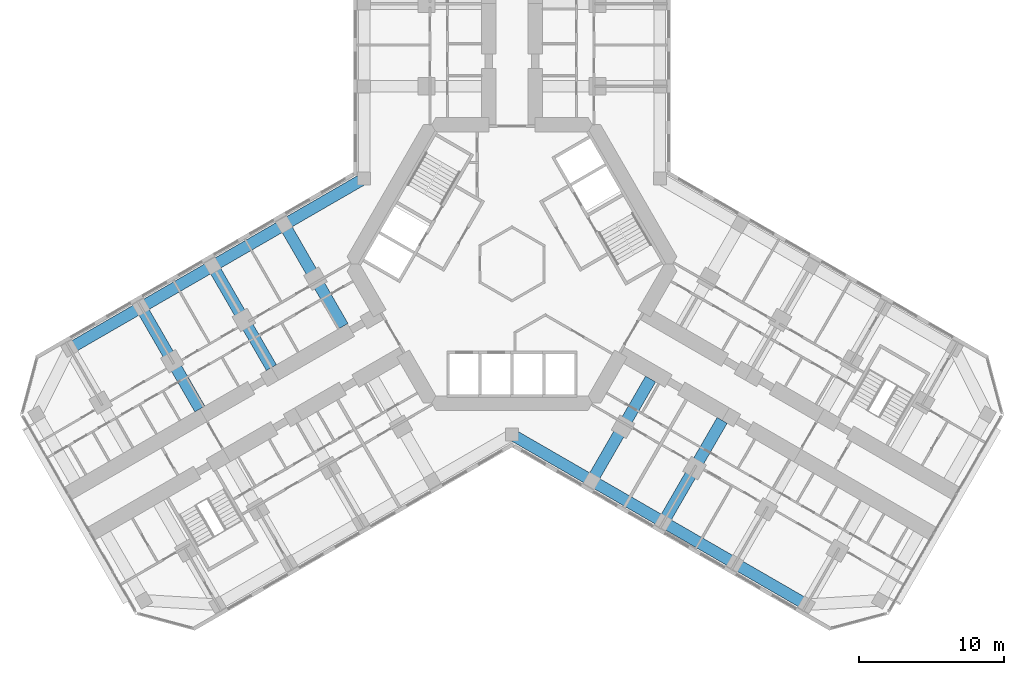
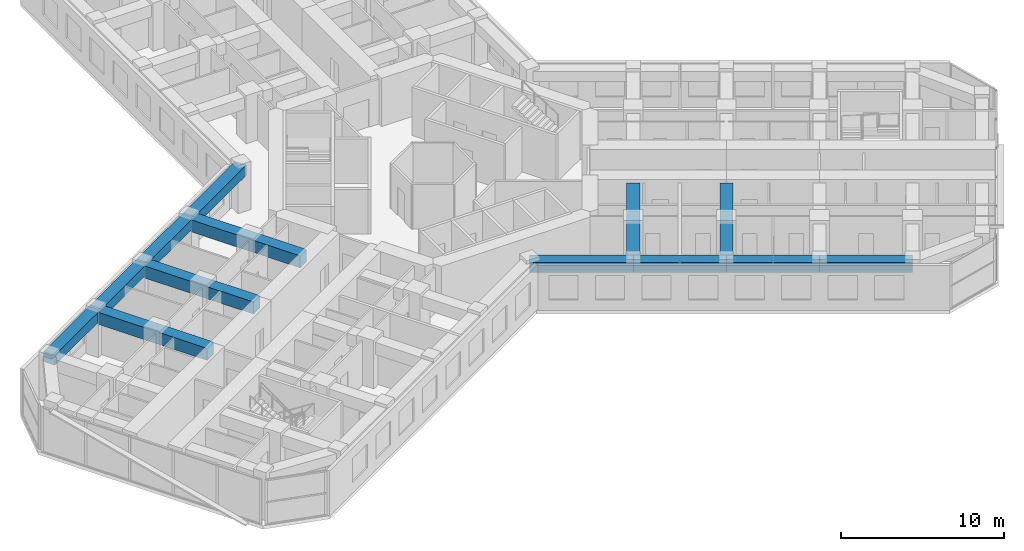
# One storey, part 4 of 21: 13 beams.
"""IFC4 building model written with IfcOpenShell, lengths in metres."""

from ifc_helpers import new_model, si_unit, direction, frame, origin, origin_2d, place, context, subcontext, project, spatial, rectangle, extrude, material, material_profile, profile_set, type_object, element, save


model = new_model("IFC4")

# Units and contexts
model_context = context("Model", 3, precision=1e-05, world=origin(), true_north=direction((0.0, 1.0)))
body_context = subcontext(model_context, "Body", "Model", "MODEL_VIEW")
ifc_project = project(units=[si_unit("LENGTHUNIT", "METRE"), si_unit("AREAUNIT", "SQUARE_METRE"), si_unit("VOLUMEUNIT", "CUBIC_METRE"), si_unit("PLANEANGLEUNIT", "RADIAN"), si_unit("MASSUNIT", "GRAM", prefix="KILO")], contexts=[model_context])

# Site, building, storey
site_placement = place(None, origin())
site = spatial("IfcSite", under=ifc_project, at=site_placement, CompositionType="ELEMENT")
building_placement = place(site_placement, origin())
building = spatial("IfcBuilding", under=site, at=building_placement, Name="Kosmar Iwan School Tower", CompositionType="ELEMENT")
storey_placement = place(building_placement, frame((0.0, 0.0, 88.0)))
storey = spatial("IfcBuildingStorey", under=building, at=storey_placement, Name="L21", CompositionType="ELEMENT", Elevation=88.0)

# Beams
ifc_material_1 = material(Name="Concrete C50/60", Category="concrete")
ifc_material_profile_1 = material_profile(ifc_material_1, rectangle(XDim=0.800048828125, YDim=0.75, at=origin_2d()), Name="RC 800x750")
ifc_profile_set_1 = profile_set([ifc_material_profile_1], Name="Concrete C50/60")
beam_type_1 = type_object("IfcBeamType", Name="RC edge beam 800x750", PredefinedType="BEAM", material=ifc_profile_set_1)
beam_1_placement = place(storey_placement, frame((-10.199951171875, 5.888916015625, 2.97509765625), z_axis=(-0.866030912664, -0.49999045822, 0.0), x_axis=(0.49999045822, -0.866030912664, 0.0)))
element("IfcBeam", 1, at=beam_1_placement, inside=storey, type_object=beam_type_1, Name="Edge beam BR1", PredefinedType="BEAM", context=body_context, shape_type="SweptSolid", body=[
    extrude(rectangle(XDim=0.800048828125, YDim=0.75, at=origin_2d()), origin(), (0.0, 0.0, 1.0), 6.36083984375),
])
beam_2_placement = place(storey_placement, frame((-15.708740234375, 2.70849609375, 2.97509765625), z_axis=(-0.866025820012, -0.499999279071, 0.0), x_axis=(0.499999279071, -0.866025820012, 0.0)))
element("IfcBeam", 2, at=beam_2_placement, inside=storey, type_object=beam_type_1, Name="Edge beam BR2", PredefinedType="BEAM", context=body_context, shape_type="SweptSolid", body=[
    extrude(rectangle(XDim=0.800048828125, YDim=0.75, at=origin_2d()), origin(), (0.0, 0.0, 1.0), 5.7001953125),
])
for number, where, z_axis, x_axis, name in (
    (3, (-20.645263671875, -0.1416015625, 2.97509765625), (-0.866033658841, -0.49998570155, 0.0), (0.49998570155, -0.866033658841, 0.0), "Edge beam BR3"),
    (4, (-25.58154296875, -2.991455078125, 2.97509765625), (-0.866015111908, -0.50001782563, 0.0), (0.50001782563, -0.866015111908, 0.0), "Edge beam BR4"),
):
    element("IfcBeam", number, at=place(storey_placement, frame(where, z_axis=z_axis, x_axis=x_axis)), inside=storey, type_object=beam_type_1, Name=name, PredefinedType="BEAM", context=body_context, shape_type="SweptSolid", body=[
        extrude(rectangle(XDim=0.800048828125, YDim=0.75, at=origin_2d()), origin(), (0.0, 0.0, 1.0), 5.699951171875),
    ])
beam_3_placement = place(storey_placement, frame((0.0, -11.77783203125, 2.97509765625), z_axis=(0.866014293216, -0.500019243575, 0.0), x_axis=(0.500019243575, 0.866014293216, 0.0)))
element("IfcBeam", 5, at=beam_3_placement, inside=storey, type_object=beam_type_1, Name="Edge beam CR1", PredefinedType="BEAM", context=body_context, shape_type="SweptSolid", body=[
    extrude(rectangle(XDim=0.800048828125, YDim=0.75, at=origin_2d()), origin(), (0.0, 0.0, 1.0), 6.361083984375),
])
beam_4_placement = place(storey_placement, frame((5.5087890625, -14.95849609375, 2.97509765625), z_axis=(0.866033658841, -0.49998570155, 0.0), x_axis=(0.49998570155, 0.866033658841, 0.0)))
element("IfcBeam", 6, at=beam_4_placement, inside=storey, type_object=beam_type_1, Name="Edge beam CR2", PredefinedType="BEAM", context=body_context, shape_type="SweptSolid", body=[
    extrude(rectangle(XDim=0.800048828125, YDim=0.75, at=origin_2d()), origin(), (0.0, 0.0, 1.0), 5.699951171875),
])
beam_5_placement = place(storey_placement, frame((10.445068359375, -17.808349609375, 2.97509765625), z_axis=(0.866025820012, -0.499999279071, 0.0), x_axis=(0.499999279071, 0.866025820012, 0.0)))
element("IfcBeam", 7, at=beam_5_placement, inside=storey, type_object=beam_type_1, Name="Edge beam CR3", PredefinedType="BEAM", context=body_context, shape_type="SweptSolid", body=[
    extrude(rectangle(XDim=0.800048828125, YDim=0.75, at=origin_2d()), origin(), (0.0, 0.0, 1.0), 5.7001953125),
])
beam_6_placement = place(storey_placement, frame((15.381591796875, -20.658447265625, 2.97509765625), z_axis=(0.866015111908, -0.50001782563, 0.0), x_axis=(0.50001782563, 0.866015111908, 0.0)))
element("IfcBeam", 8, at=beam_6_placement, inside=storey, type_object=beam_type_1, Name="Edge beam CR4", PredefinedType="BEAM", context=body_context, shape_type="SweptSolid", body=[
    extrude(rectangle(XDim=0.800048828125, YDim=0.75, at=origin_2d()), origin(), (0.0, 0.0, 1.0), 5.699951171875),
])
ifc_material_2 = material(Name="Concrete C50/60", Category="concrete")
ifc_material_profile_2 = material_profile(ifc_material_2, rectangle(XDim=0.800048828125, YDim=0.89990234375, at=origin_2d()), Name="RC 800x900")
ifc_profile_set_2 = profile_set([ifc_material_profile_2], Name="Concrete C50/60")
beam_type_2 = type_object("IfcBeamType", Name="RC transverse beam 800x900", PredefinedType="BEAM", material=ifc_profile_set_2)
beam_7_placement = place(storey_placement, frame((-15.708740234375, 2.70849609375, 2.89990234375), z_axis=(0.499999880539, -0.866025472755, 0.0), x_axis=(0.866025472755, 0.499999880539, 0.0)))
element("IfcBeam", 9, at=beam_7_placement, inside=storey, type_object=beam_type_2, Name="Transverse beam BR1", PredefinedType="BEAM", context=body_context, shape_type="SweptSolid", body=[
    extrude(rectangle(XDim=0.800048828125, YDim=0.89990234375, at=origin_2d()), origin(), (0.0, 0.0, 1.0), 8.10009765625),
])
beam_8_placement = place(storey_placement, frame((-20.645263671875, -0.1416015625, 2.89990234375), z_axis=(0.500012932018, -0.866017937352, 0.0), x_axis=(0.866017937352, 0.500012932018, 0.0)))
element("IfcBeam", 10, at=beam_8_placement, inside=storey, type_object=beam_type_2, Name="Transverse beam BR2", PredefinedType="BEAM", context=body_context, shape_type="SweptSolid", body=[
    extrude(rectangle(XDim=0.800048828125, YDim=0.89990234375, at=origin_2d()), origin(), (0.0, 0.0, 1.0), 8.099853515625),
])
for number, where, z_axis, x_axis, name in (
    (11, (-25.58154296875, -2.991455078125, 2.89990234375), (0.499999880539, -0.866025472755, 0.0), (0.866025472755, 0.499999880539, 0.0), "Transverse beam BR3"),
    (12, (5.5087890625, -14.95849609375, 2.89990234375), (0.499999880539, 0.866025472755, 0.0), (-0.866025472755, 0.499999880539, 0.0), "Transverse beam CR1"),
):
    element("IfcBeam", number, at=place(storey_placement, frame(where, z_axis=z_axis, x_axis=x_axis)), inside=storey, type_object=beam_type_2, Name=name, PredefinedType="BEAM", context=body_context, shape_type="SweptSolid", body=[
        extrude(rectangle(XDim=0.800048828125, YDim=0.89990234375, at=origin_2d()), origin(), (0.0, 0.0, 1.0), 8.10009765625),
    ])
beam_9_placement = place(storey_placement, frame((10.445068359375, -17.808349609375, 2.89990234375), z_axis=(0.500012932018, 0.866017937352, 0.0), x_axis=(-0.866017937352, 0.500012932018, 0.0)))
element("IfcBeam", 13, at=beam_9_placement, inside=storey, type_object=beam_type_2, Name="Transverse beam CR2", PredefinedType="BEAM", context=body_context, shape_type="SweptSolid", body=[
    extrude(rectangle(XDim=0.800048828125, YDim=0.89990234375, at=origin_2d()), origin(), (0.0, 0.0, 1.0), 8.099853515625),
])

save(model, "model.ifc")
